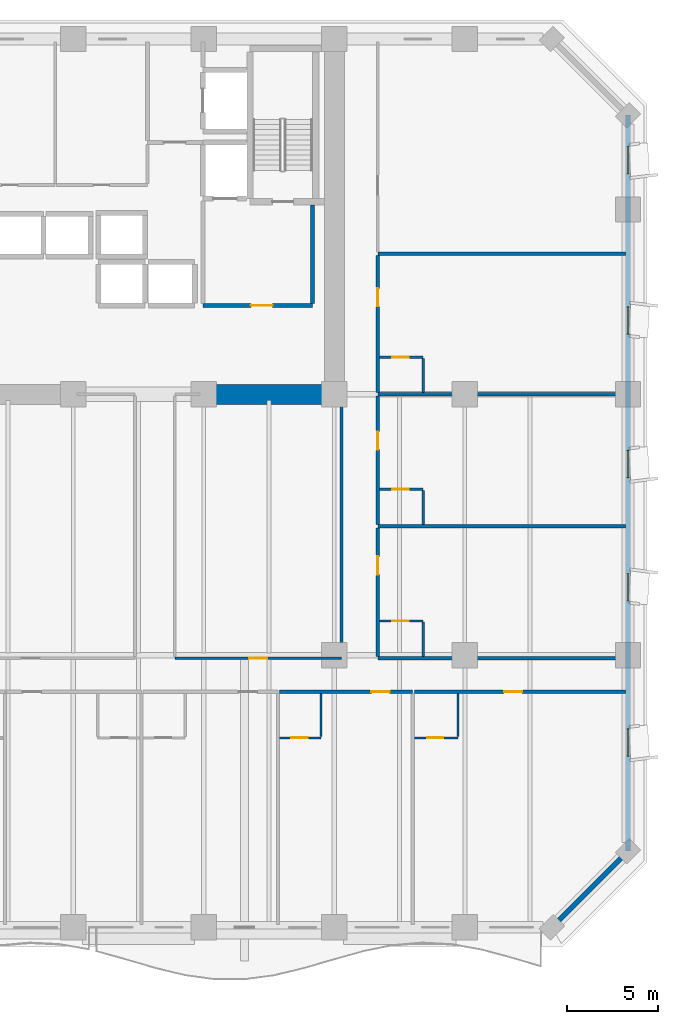
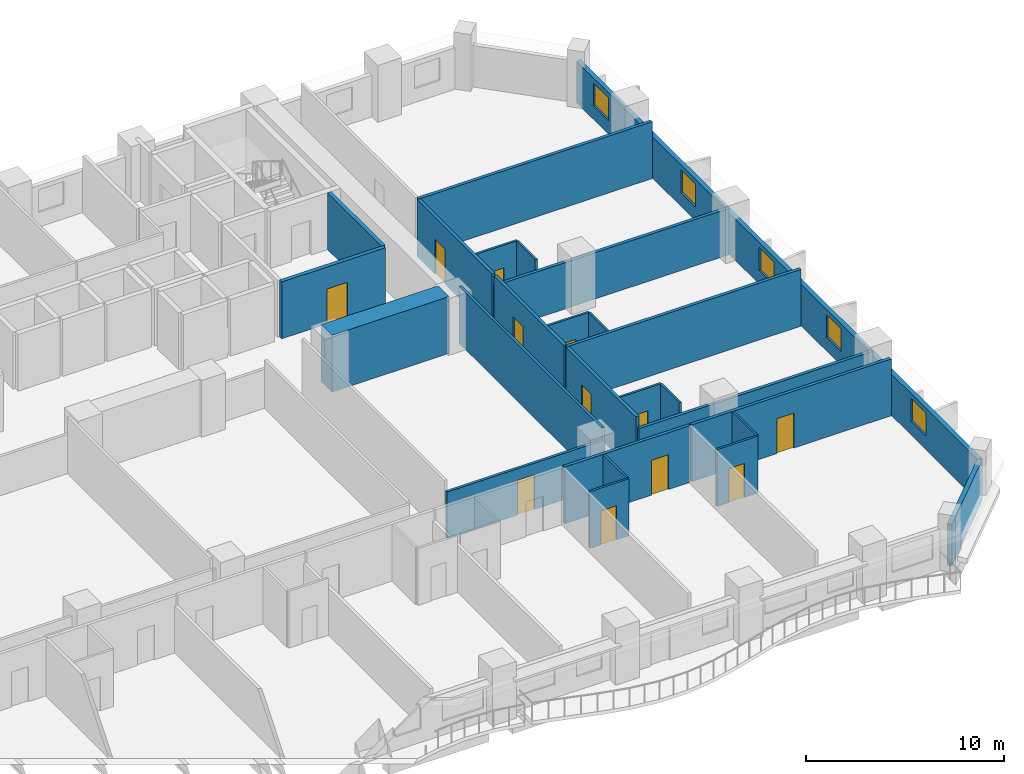
# One storey, part 10 of 15: 26 walls, 12 doors, 5 windows, 17 openings.
"""IFC4 building model written with IfcOpenShell, lengths in metres."""

from ifc_helpers import new_model, si_unit, direction, frame, frame_2d, origin, place, context, subcontext, project, spatial, rectangle, extrude, material, layer, layer_set, type_object, element, fill, save


model = new_model("IFC4")

# Units and contexts
model_context = context("Model", 3, precision=1e-05, world=origin(), true_north=direction((0.0, 1.0)))
body_context = subcontext(model_context, "Body", "Model", "MODEL_VIEW")
ifc_project = project(units=[si_unit("LENGTHUNIT", "METRE"), si_unit("AREAUNIT", "SQUARE_METRE"), si_unit("VOLUMEUNIT", "CUBIC_METRE"), si_unit("PLANEANGLEUNIT", "RADIAN"), si_unit("MASSUNIT", "GRAM", prefix="KILO")], contexts=[model_context])

# Site, building, storey
site_placement = place(None, origin())
site = spatial("IfcSite", under=ifc_project, at=site_placement, CompositionType="ELEMENT")
building_placement = place(site_placement, origin())
building = spatial("IfcBuilding", under=site, at=building_placement, Name="Kaelvorn Grand Hotel", CompositionType="ELEMENT")
storey_placement = place(building_placement, frame((0.0, 0.0, 68.89990234375)))
storey = spatial("IfcBuildingStorey", under=building, at=storey_placement, Name="L15", CompositionType="ELEMENT", Elevation=68.89990234375)

# Walls
ifc_material_1 = material(Name="Concrete C80/95", Category="concrete")
ifc_layer_1 = layer(ifc_material_1, 1.10009765625)
ifc_layer_set_1 = layer_set([ifc_layer_1], Name="Concrete C80/95")
wall_type_1 = type_object("IfcWallType", Name="WL-CORE-1100-C80", PredefinedType="SHEAR", material=ifc_layer_set_1)
wall_1_placement = place(storey_placement, frame((60.39990234375, 29.39990234375, 0.0), z_axis=(0.0, 0.0, 1.0), x_axis=(1.0, 0.0, 0.0)))
element("IfcWall", 1, at=wall_1_placement, inside=storey, type_object=wall_type_1, Name="L15 Rear-Core Coupled Shear Pier S4", PredefinedType="SHEAR", context=body_context, shape_type="SweptSolid", body=[
    extrude(rectangle(XDim=6.84521484375, YDim=1.10009765625, at=frame_2d((3.422607421875, 0.0))), origin(), (0.0, 0.0, 1.0), 3.510009765625),
])
ifc_material_2 = material(Name="Concrete C40/50", Category="concrete")
ifc_layer_2 = layer(ifc_material_2, 0.260009765625)
ifc_layer_set_2 = layer_set([ifc_layer_2], Name="Concrete C40/50")
wall_type_2 = type_object("IfcWallType", Name="WL-EXT-260-C40", PredefinedType="SOLIDWALL", material=ifc_layer_set_2)
wall_2_placement = place(storey_placement, frame((79.800048828125, 0.0, 0.0), z_axis=(0.0, 0.0, 1.0), x_axis=(0.707106781187, 0.707106781187, 0.0)))
element("IfcWall", 2, at=wall_2_placement, inside=storey, type_object=wall_type_2, Name="L15 Exterior Architectural Concrete Wall 02", PredefinedType="SOLIDWALL", context=body_context, shape_type="SweptSolid", body=[
    extrude(rectangle(XDim=5.939697265625, YDim=0.260009765625, at=frame_2d((2.9697265625, 0.0))), origin(), (0.0, 0.0, 1.0), 2.56005859375),
])

# Wall, openings, windows
wall_3_placement = place(storey_placement, frame((84.0, 4.199951171875, 0.0), z_axis=(0.0, 0.0, 1.0), x_axis=(0.0, 1.0, 0.0)))
wall_3 = element("IfcWall", 3, at=wall_3_placement, inside=storey, type_object=wall_type_2, Name="L15 Exterior Architectural Concrete Wall 03", PredefinedType="SOLIDWALL", context=body_context, shape_type="SweptSolid", body=[
    extrude(rectangle(XDim=40.60009765625, YDim=0.260009765625, at=frame_2d((20.300048828125, 0.0))), origin(), (0.0, 0.0, 1.0), 2.56005859375),
])
opening_1_placement = place(wall_3_placement, frame((5.25, 0.0, 0.85009765625)))
opening_1 = element("IfcOpeningElement", 4, at=opening_1_placement, cuts=wall_3, Name="Opening W10", PredefinedType="OPENING", context=body_context, shape_type="SweptSolid", body=[
    extrude(rectangle(XDim=1.5, YDim=1.39990234375, at=frame_2d((0.75, 0.699951171875))), frame((0.0, 0.14013671875, 0.0), z_axis=(0.0, -1.0, 0.0), x_axis=(1.0, 0.0, 0.0)), (0.0, 0.0, 1.0), 0.280029296875),
])
opening_2_placement = place(wall_3_placement, frame((13.81005859375, 0.0, 0.85009765625)))
opening_2 = element("IfcOpeningElement", 5, at=opening_2_placement, cuts=wall_3, Name="Opening W10", PredefinedType="OPENING", context=body_context, shape_type="SweptSolid", body=[
    extrude(rectangle(XDim=1.5, YDim=1.39990234375, at=frame_2d((0.75, 0.699951171875))), frame((0.0, 0.14013671875, 0.0), z_axis=(0.0, -1.0, 0.0), x_axis=(1.0, 0.0, 0.0)), (0.0, 0.0, 1.0), 0.280029296875),
])
opening_3_placement = place(wall_3_placement, frame((20.610107421875, 0.0, 0.85009765625)))
opening_3 = element("IfcOpeningElement", 6, at=opening_3_placement, cuts=wall_3, Name="Opening W10", PredefinedType="OPENING", context=body_context, shape_type="SweptSolid", body=[
    extrude(rectangle(XDim=1.5, YDim=1.39990234375, at=frame_2d((0.75, 0.699951171875))), frame((0.0, 0.14013671875, 0.0), z_axis=(0.0, -1.0, 0.0), x_axis=(1.0, 0.0, 0.0)), (0.0, 0.0, 1.0), 0.280029296875),
])
opening_4_placement = place(wall_3_placement, frame((28.52490234375, 0.0, 0.85009765625)))
opening_4 = element("IfcOpeningElement", 7, at=opening_4_placement, cuts=wall_3, Name="Opening W10", PredefinedType="OPENING", context=body_context, shape_type="SweptSolid", body=[
    extrude(rectangle(XDim=1.5, YDim=1.39990234375, at=frame_2d((0.75, 0.699951171875))), frame((0.0, 0.14013671875, 0.0), z_axis=(0.0, -1.0, 0.0), x_axis=(1.0, 0.0, 0.0)), (0.0, 0.0, 1.0), 0.280029296875),
])
opening_5_placement = place(wall_3_placement, frame((37.364990234375, 0.0, 0.85009765625)))
opening_5 = element("IfcOpeningElement", 8, at=opening_5_placement, cuts=wall_3, Name="Opening W10", PredefinedType="OPENING", context=body_context, shape_type="SweptSolid", body=[
    extrude(rectangle(XDim=1.5, YDim=1.39990234375, at=frame_2d((0.75, 0.699951171875))), frame((0.0, 0.14013671875, 0.0), z_axis=(0.0, -1.0, 0.0), x_axis=(1.0, 0.0, 0.0)), (0.0, 0.0, 1.0), 0.280029296875),
])
ifc_material_3 = material(Name="Laminated Low-E Glass", Category="glass")
window_type = type_object("IfcWindowType", Name="WIN-COR-1500x1400", PartitioningType="SINGLE_PANEL", PredefinedType="WINDOW", material=ifc_material_3)
window_1_placement = place(opening_1_placement, origin())
window_1 = element("IfcWindow", 9, at=window_1_placement, inside=storey, type_object=window_type, Name="L15 E Wing Tilted-Frame Ribbon Window E01", OverallHeight=1.39990234375, OverallWidth=1.5, PartitioningType="SINGLE_PANEL", PredefinedType="WINDOW", context=body_context, shape_type="SweptSolid", body=[
    extrude(rectangle(XDim=1.5, YDim=1.39990234375, at=frame_2d((0.75, 0.699951171875))), frame((0.0, 0.030029296875, 0.0), z_axis=(0.0, -1.0, 0.0), x_axis=(1.0, 0.0, 0.0)), (0.0, 0.0, 1.0), 0.06005859375),
])
fill(opening_1, window_1)
window_2_placement = place(opening_2_placement, origin())
window_2 = element("IfcWindow", 10, at=window_2_placement, inside=storey, type_object=window_type, Name="L15 E Wing Tilted-Frame Ribbon Window E02", OverallHeight=1.39990234375, OverallWidth=1.5, PartitioningType="SINGLE_PANEL", PredefinedType="WINDOW", context=body_context, shape_type="SweptSolid", body=[
    extrude(rectangle(XDim=1.5, YDim=1.39990234375, at=frame_2d((0.75, 0.699951171875))), frame((0.0, 0.030029296875, 0.0), z_axis=(0.0, -1.0, 0.0), x_axis=(1.0, 0.0, 0.0)), (0.0, 0.0, 1.0), 0.06005859375),
])
fill(opening_2, window_2)
window_3_placement = place(opening_3_placement, origin())
window_3 = element("IfcWindow", 11, at=window_3_placement, inside=storey, type_object=window_type, Name="L15 E Wing Tilted-Frame Ribbon Window E03", OverallHeight=1.39990234375, OverallWidth=1.5, PartitioningType="SINGLE_PANEL", PredefinedType="WINDOW", context=body_context, shape_type="SweptSolid", body=[
    extrude(rectangle(XDim=1.5, YDim=1.39990234375, at=frame_2d((0.75, 0.699951171875))), frame((0.0, 0.030029296875, 0.0), z_axis=(0.0, -1.0, 0.0), x_axis=(1.0, 0.0, 0.0)), (0.0, 0.0, 1.0), 0.06005859375),
])
fill(opening_3, window_3)
window_4_placement = place(opening_4_placement, origin())
window_4 = element("IfcWindow", 12, at=window_4_placement, inside=storey, type_object=window_type, Name="L15 E Wing Tilted-Frame Ribbon Window E04", OverallHeight=1.39990234375, OverallWidth=1.5, PartitioningType="SINGLE_PANEL", PredefinedType="WINDOW", context=body_context, shape_type="SweptSolid", body=[
    extrude(rectangle(XDim=1.5, YDim=1.39990234375, at=frame_2d((0.75, 0.699951171875))), frame((0.0, 0.030029296875, 0.0), z_axis=(0.0, -1.0, 0.0), x_axis=(1.0, 0.0, 0.0)), (0.0, 0.0, 1.0), 0.06005859375),
])
fill(opening_4, window_4)
window_5_placement = place(opening_5_placement, origin())
window_5 = element("IfcWindow", 13, at=window_5_placement, inside=storey, type_object=window_type, Name="L15 E Wing Tilted-Frame Ribbon Window E05", OverallHeight=1.39990234375, OverallWidth=1.5, PartitioningType="SINGLE_PANEL", PredefinedType="WINDOW", context=body_context, shape_type="SweptSolid", body=[
    extrude(rectangle(XDim=1.5, YDim=1.39990234375, at=frame_2d((0.75, 0.699951171875))), frame((0.0, 0.030029296875, 0.0), z_axis=(0.0, -1.0, 0.0), x_axis=(1.0, 0.0, 0.0)), (0.0, 0.0, 1.0), 0.06005859375),
])
fill(opening_5, window_5)

# Wall, opening, door
ifc_material_4 = material(Name="Moisture-Resistant Tile & Stud Board")
ifc_layer_3 = layer(ifc_material_4, 0.125)
ifc_layer_set_3 = layer_set([ifc_layer_3], Name="Moisture-Resistant Tile & Stud Board")
wall_type_3 = type_object("IfcWallType", Name="WL-PART-125-WET", PredefinedType="PARTITIONING", material=ifc_layer_set_3)
wall_4_placement = place(storey_placement, frame((64.78564453125, 10.449951171875, 0.0), z_axis=(0.0, 0.0, 1.0), x_axis=(1.0, 0.0, 0.0)))
wall_4 = element("IfcWall", 14, at=wall_4_placement, inside=storey, type_object=wall_type_3, Name="L15 En-suite Bathroom L15-09 S Partition", PredefinedType="PARTITIONING", context=body_context, shape_type="SweptSolid", body=[
    extrude(rectangle(XDim=2.284912109375, YDim=0.125, at=frame_2d((1.142578125, 0.0))), origin(), (0.0, 0.0, 1.0), 3.510009765625),
])
opening_6_placement = place(wall_4_placement, frame((0.64990234375, 0.0, 0.0)))
opening_6 = element("IfcOpeningElement", 15, at=opening_6_placement, cuts=wall_4, Name="Opening DI4", PredefinedType="OPENING", context=body_context, shape_type="SweptSolid", body=[
    extrude(rectangle(XDim=0.89990234375, YDim=2.10009765625, at=frame_2d((0.449951171875, 1.050048828125))), frame((0.0, 0.072509765625, 0.0), z_axis=(0.0, -1.0, 0.0), x_axis=(1.0, 0.0, 0.0)), (0.0, 0.0, 1.0), 0.14501953125),
])
ifc_material_5 = material(Name="Timber Veneer Leaf", Category="wood")
door_type_1 = type_object("IfcDoorType", Name="DR-INT-BATH-900x2100", OperationType="NOTDEFINED", PredefinedType="DOOR", material=ifc_material_5)
door_1_placement = place(opening_6_placement, origin())
door_1 = element("IfcDoor", 16, at=door_1_placement, inside=storey, type_object=door_type_1, Name="L15 En-suite Bathroom L15-09 Door", OperationType="SINGLE_SWING_LEFT", OverallHeight=2.10009765625, OverallWidth=0.89990234375, PredefinedType="DOOR", context=body_context, shape_type="SweptSolid", body=[
    extrude(rectangle(XDim=0.89990234375, YDim=2.10009765625, at=frame_2d((0.449951171875, 1.050048828125))), frame((0.0, 0.02490234375, 0.0), z_axis=(0.0, -1.0, 0.0), x_axis=(1.0, 0.0, 0.0)), (0.0, 0.0, 1.0), 0.050048828125),
])
fill(opening_6, door_1)

# Wall
wall_5_placement = place(storey_placement, frame((67.070556640625, 10.517578125, 0.0), z_axis=(0.0, 0.0, 1.0), x_axis=(0.0, 1.0, 0.0)))
element("IfcWall", 17, at=wall_5_placement, inside=storey, type_object=wall_type_3, Name="L15 En-suite Bathroom L15-09 E Partition", PredefinedType="PARTITIONING", context=body_context, shape_type="SweptSolid", body=[
    extrude(rectangle(XDim=2.387451171875, YDim=0.125, at=frame_2d((1.19384765625, 0.0))), origin(), (0.0, 0.0, 1.0), 3.510009765625),
])

# Wall, opening, door
wall_6_placement = place(storey_placement, frame((72.21533203125, 10.449951171875, 0.0), z_axis=(0.0, 0.0, 1.0), x_axis=(1.0, 0.0, 0.0)))
wall_6 = element("IfcWall", 18, at=wall_6_placement, inside=storey, type_object=wall_type_3, Name="L15 En-suite Bathroom L15-10 S Partition", PredefinedType="PARTITIONING", context=body_context, shape_type="SweptSolid", body=[
    extrude(rectangle(XDim=2.405029296875, YDim=0.125, at=frame_2d((1.20263671875, 0.0))), origin(), (0.0, 0.0, 1.0), 3.510009765625),
])
opening_7_placement = place(wall_6_placement, frame((0.705078125, 0.0, 0.0)))
opening_7 = element("IfcOpeningElement", 19, at=opening_7_placement, cuts=wall_6, Name="Opening DI4", PredefinedType="OPENING", context=body_context, shape_type="SweptSolid", body=[
    extrude(rectangle(XDim=0.89990234375, YDim=2.10009765625, at=frame_2d((0.449951171875, 1.050048828125))), frame((0.0, 0.072509765625, 0.0), z_axis=(0.0, -1.0, 0.0), x_axis=(1.0, 0.0, 0.0)), (0.0, 0.0, 1.0), 0.14501953125),
])
door_2_placement = place(opening_7_placement, origin())
door_2 = element("IfcDoor", 20, at=door_2_placement, inside=storey, type_object=door_type_1, Name="L15 En-suite Bathroom L15-10 Door", OperationType="SINGLE_SWING_LEFT", OverallHeight=2.10009765625, OverallWidth=0.89990234375, PredefinedType="DOOR", context=body_context, shape_type="SweptSolid", body=[
    extrude(rectangle(XDim=0.89990234375, YDim=2.10009765625, at=frame_2d((0.449951171875, 1.050048828125))), frame((0.0, 0.02490234375, 0.0), z_axis=(0.0, -1.0, 0.0), x_axis=(1.0, 0.0, 0.0)), (0.0, 0.0, 1.0), 0.050048828125),
])
fill(opening_7, door_2)

# Wall
wall_7_placement = place(storey_placement, frame((74.620361328125, 10.517578125, 0.0), z_axis=(0.0, 0.0, 1.0), x_axis=(0.0, 1.0, 0.0)))
element("IfcWall", 21, at=wall_7_placement, inside=storey, type_object=wall_type_3, Name="L15 En-suite Bathroom L15-10 E Partition", PredefinedType="PARTITIONING", context=body_context, shape_type="SweptSolid", body=[
    extrude(rectangle(XDim=2.387451171875, YDim=0.125, at=frame_2d((1.19384765625, 0.0))), origin(), (0.0, 0.0, 1.0), 3.510009765625),
])

# Wall, opening, door
wall_8_placement = place(storey_placement, frame((70.294921875, 16.89990234375, 0.0), z_axis=(0.0, 0.0, 1.0), x_axis=(1.0, 0.0, 0.0)))
wall_8 = element("IfcWall", 22, at=wall_8_placement, inside=storey, type_object=wall_type_3, Name="L15 En-suite Bathroom L15-13 N Partition", PredefinedType="PARTITIONING", context=body_context, shape_type="SweptSolid", body=[
    extrude(rectangle(XDim=2.405029296875, YDim=0.125, at=frame_2d((1.20263671875, 0.0))), origin(), (0.0, 0.0, 1.0), 3.510009765625),
])
opening_8_placement = place(wall_8_placement, frame((0.705078125, 0.0, 0.0)))
opening_8 = element("IfcOpeningElement", 23, at=opening_8_placement, cuts=wall_8, Name="Opening DI4", PredefinedType="OPENING", context=body_context, shape_type="SweptSolid", body=[
    extrude(rectangle(XDim=0.89990234375, YDim=2.10009765625, at=frame_2d((0.449951171875, 1.050048828125))), frame((0.0, 0.072509765625, 0.0), z_axis=(0.0, -1.0, 0.0), x_axis=(1.0, 0.0, 0.0)), (0.0, 0.0, 1.0), 0.14501953125),
])
door_3_placement = place(opening_8_placement, origin())
door_3 = element("IfcDoor", 24, at=door_3_placement, inside=storey, type_object=door_type_1, Name="L15 En-suite Bathroom L15-13 Door", OperationType="SINGLE_SWING_RIGHT", OverallHeight=2.10009765625, OverallWidth=0.89990234375, PredefinedType="DOOR", context=body_context, shape_type="SweptSolid", body=[
    extrude(rectangle(XDim=0.89990234375, YDim=2.10009765625, at=frame_2d((0.449951171875, 1.050048828125))), frame((0.0, 0.02490234375, 0.0), z_axis=(0.0, -1.0, 0.0), x_axis=(1.0, 0.0, 0.0)), (0.0, 0.0, 1.0), 0.050048828125),
])
fill(opening_8, door_3)

# Wall
wall_9_placement = place(storey_placement, frame((72.699951171875, 14.945068359375, 0.0), z_axis=(0.0, 0.0, 1.0), x_axis=(0.0, 1.0, 0.0)))
element("IfcWall", 25, at=wall_9_placement, inside=storey, type_object=wall_type_3, Name="L15 En-suite Bathroom L15-13 E Partition", PredefinedType="PARTITIONING", context=body_context, shape_type="SweptSolid", body=[
    extrude(rectangle(XDim=1.887451171875, YDim=0.125, at=frame_2d((0.94384765625, 0.0))), origin(), (0.0, 0.0, 1.0), 3.510009765625),
])

# Wall, opening, door
wall_10_placement = place(storey_placement, frame((70.294921875, 24.169921875, 0.0), z_axis=(0.0, 0.0, 1.0), x_axis=(1.0, 0.0, 0.0)))
wall_10 = element("IfcWall", 26, at=wall_10_placement, inside=storey, type_object=wall_type_3, Name="L15 En-suite Bathroom L15-14 N Partition", PredefinedType="PARTITIONING", context=body_context, shape_type="SweptSolid", body=[
    extrude(rectangle(XDim=2.405029296875, YDim=0.125, at=frame_2d((1.20263671875, 0.0))), origin(), (0.0, 0.0, 1.0), 3.510009765625),
])
opening_9_placement = place(wall_10_placement, frame((0.705078125, 0.0, 0.0)))
opening_9 = element("IfcOpeningElement", 27, at=opening_9_placement, cuts=wall_10, Name="Opening DI4", PredefinedType="OPENING", context=body_context, shape_type="SweptSolid", body=[
    extrude(rectangle(XDim=0.89990234375, YDim=2.10009765625, at=frame_2d((0.449951171875, 1.050048828125))), frame((0.0, 0.072509765625, 0.0), z_axis=(0.0, -1.0, 0.0), x_axis=(1.0, 0.0, 0.0)), (0.0, 0.0, 1.0), 0.14501953125),
])
door_4_placement = place(opening_9_placement, origin())
door_4 = element("IfcDoor", 28, at=door_4_placement, inside=storey, type_object=door_type_1, Name="L15 En-suite Bathroom L15-14 Door", OperationType="SINGLE_SWING_RIGHT", OverallHeight=2.10009765625, OverallWidth=0.89990234375, PredefinedType="DOOR", context=body_context, shape_type="SweptSolid", body=[
    extrude(rectangle(XDim=0.89990234375, YDim=2.10009765625, at=frame_2d((0.449951171875, 1.050048828125))), frame((0.0, 0.02490234375, 0.0), z_axis=(0.0, -1.0, 0.0), x_axis=(1.0, 0.0, 0.0)), (0.0, 0.0, 1.0), 0.050048828125),
])
fill(opening_9, door_4)

# Wall
wall_11_placement = place(storey_placement, frame((72.699951171875, 22.215087890625, 0.0), z_axis=(0.0, 0.0, 1.0), x_axis=(0.0, 1.0, 0.0)))
element("IfcWall", 29, at=wall_11_placement, inside=storey, type_object=wall_type_3, Name="L15 En-suite Bathroom L15-14 E Partition", PredefinedType="PARTITIONING", context=body_context, shape_type="SweptSolid", body=[
    extrude(rectangle(XDim=1.887451171875, YDim=0.125, at=frame_2d((0.94384765625, 0.0))), origin(), (0.0, 0.0, 1.0), 3.510009765625),
])

# Wall, opening, door
wall_12_placement = place(storey_placement, frame((70.294921875, 31.449951171875, 0.0), z_axis=(0.0, 0.0, 1.0), x_axis=(1.0, 0.0, 0.0)))
wall_12 = element("IfcWall", 30, at=wall_12_placement, inside=storey, type_object=wall_type_3, Name="L15 En-suite Bathroom L15-16 N Partition", PredefinedType="PARTITIONING", context=body_context, shape_type="SweptSolid", body=[
    extrude(rectangle(XDim=2.405029296875, YDim=0.125, at=frame_2d((1.20263671875, 0.0))), origin(), (0.0, 0.0, 1.0), 3.510009765625),
])
opening_10_placement = place(wall_12_placement, frame((0.705078125, 0.0, 0.0)))
opening_10 = element("IfcOpeningElement", 31, at=opening_10_placement, cuts=wall_12, Name="Opening DI4", PredefinedType="OPENING", context=body_context, shape_type="SweptSolid", body=[
    extrude(rectangle(XDim=0.89990234375, YDim=2.10009765625, at=frame_2d((0.449951171875, 1.050048828125))), frame((0.0, 0.072509765625, 0.0), z_axis=(0.0, -1.0, 0.0), x_axis=(1.0, 0.0, 0.0)), (0.0, 0.0, 1.0), 0.14501953125),
])
door_5_placement = place(opening_10_placement, origin())
door_5 = element("IfcDoor", 32, at=door_5_placement, inside=storey, type_object=door_type_1, Name="L15 En-suite Bathroom L15-16 Door", OperationType="SINGLE_SWING_LEFT", OverallHeight=2.10009765625, OverallWidth=0.89990234375, PredefinedType="DOOR", context=body_context, shape_type="SweptSolid", body=[
    extrude(rectangle(XDim=0.89990234375, YDim=2.10009765625, at=frame_2d((0.449951171875, 1.050048828125))), frame((0.0, 0.02490234375, 0.0), z_axis=(0.0, -1.0, 0.0), x_axis=(1.0, 0.0, 0.0)), (0.0, 0.0, 1.0), 0.050048828125),
])
fill(opening_10, door_5)

# Wall
wall_13_placement = place(storey_placement, frame((72.699951171875, 29.4951171875, 0.0), z_axis=(0.0, 0.0, 1.0), x_axis=(0.0, 1.0, 0.0)))
element("IfcWall", 33, at=wall_13_placement, inside=storey, type_object=wall_type_3, Name="L15 En-suite Bathroom L15-16 E Partition", PredefinedType="PARTITIONING", context=body_context, shape_type="SweptSolid", body=[
    extrude(rectangle(XDim=1.887451171875, YDim=0.125, at=frame_2d((0.94384765625, 0.0))), origin(), (0.0, 0.0, 1.0), 3.510009765625),
])

# Wall, opening, door
ifc_material_6 = material(Name="Acoustic Gypsum & Stud Partition")
ifc_layer_4 = layer(ifc_material_6, 0.14990234375)
ifc_layer_set_4 = layer_set([ifc_layer_4], Name="Acoustic Gypsum & Stud Partition")
wall_type_4 = type_object("IfcWallType", Name="WL-PART-150-EI60", PredefinedType="PARTITIONING", material=ifc_layer_set_4)
wall_14_placement = place(storey_placement, frame((59.0, 14.85009765625, 0.0), z_axis=(0.0, 0.0, 1.0), x_axis=(1.0, 0.0, 0.0)))
wall_14 = element("IfcWall", 34, at=wall_14_placement, inside=storey, type_object=wall_type_4, Name="L15 Executive Meeting Room S Partition", PredefinedType="PARTITIONING", context=body_context, shape_type="SweptSolid", body=[
    extrude(rectangle(XDim=9.199951171875, YDim=0.14990234375, at=frame_2d((4.60009765625, 0.0))), origin(), (0.0, 0.0, 1.0), 2.860107421875),
])
opening_11_placement = place(wall_14_placement, frame((4.10009765625, 0.0, 0.0)))
opening_11 = element("IfcOpeningElement", 35, at=opening_11_placement, cuts=wall_14, Name="Opening DI3", PredefinedType="OPENING", context=body_context, shape_type="SweptSolid", body=[
    extrude(rectangle(XDim=1.0, YDim=2.14990234375, at=frame_2d((0.5, 1.074951171875))), frame((0.0, 0.0849609375, 0.0), z_axis=(0.0, -1.0, 0.0), x_axis=(1.0, 0.0, 0.0)), (0.0, 0.0, 1.0), 0.169921875),
])
ifc_material_7 = material(Name="Timber Veneer Fire Leaf", Category="wood")
door_type_2 = type_object("IfcDoorType", Name="DR-INT-GUEST-1000x2150", OperationType="NOTDEFINED", PredefinedType="DOOR", material=ifc_material_7)
door_6_placement = place(opening_11_placement, origin())
door_6 = element("IfcDoor", 36, at=door_6_placement, inside=storey, type_object=door_type_2, Name="L15 Executive Meeting Room Door", OperationType="SINGLE_SWING_RIGHT", OverallHeight=2.14990234375, OverallWidth=1.0, PredefinedType="DOOR", context=body_context, shape_type="SweptSolid", body=[
    extrude(rectangle(XDim=1.0, YDim=2.14990234375, at=frame_2d((0.5, 1.074951171875))), frame((0.0, 0.02490234375, 0.0), z_axis=(0.0, -1.0, 0.0), x_axis=(1.0, 0.0, 0.0)), (0.0, 0.0, 1.0), 0.050048828125),
])
fill(opening_11, door_6)

# Wall
wall_15_placement = place(storey_placement, frame((68.199951171875, 14.929931640625, 0.0), z_axis=(0.0, 0.0, 1.0), x_axis=(0.0, 1.0, 0.0)))
element("IfcWall", 37, at=wall_15_placement, inside=storey, type_object=wall_type_4, Name="L15 Executive Meeting Room E Partition", PredefinedType="PARTITIONING", context=body_context, shape_type="SweptSolid", body=[
    extrude(rectangle(XDim=14.4599609375, YDim=0.14990234375, at=frame_2d((7.22998046875, 0.0))), origin(), (0.0, 0.0, 1.0), 3.510009765625),
])

# Wall, opening, door
ifc_layer_5 = layer(ifc_material_6, 0.179931640625)
ifc_layer_set_5 = layer_set([ifc_layer_5], Name="Acoustic Gypsum & Stud Partition")
wall_type_5 = type_object("IfcWallType", Name="WL-PART-180-EI60", PredefinedType="PARTITIONING", material=ifc_layer_set_5)
wall_16_placement = place(storey_placement, frame((64.78564453125, 13.0, 0.0), z_axis=(0.0, 0.0, 1.0), x_axis=(1.0, 0.0, 0.0)))
wall_16 = element("IfcWall", 38, at=wall_16_placement, inside=storey, type_object=wall_type_5, Name="L15 Deluxe Panoramic Suite L15-09 N Partition", PredefinedType="PARTITIONING", context=body_context, shape_type="SweptSolid", body=[
    extrude(rectangle(XDim=7.334716796875, YDim=0.179931640625, at=frame_2d((3.66748046875, 0.0))), origin(), (0.0, 0.0, 1.0), 3.510009765625),
])
opening_12_placement = place(wall_16_placement, frame((5.064453125, 0.0, 0.0)))
opening_12 = element("IfcOpeningElement", 39, at=opening_12_placement, cuts=wall_16, Name="Opening DI3", PredefinedType="OPENING", context=body_context, shape_type="SweptSolid", body=[
    extrude(rectangle(XDim=1.0, YDim=2.14990234375, at=frame_2d((0.5, 1.074951171875))), frame((0.0, 0.10009765625, 0.0), z_axis=(0.0, -1.0, 0.0), x_axis=(1.0, 0.0, 0.0)), (0.0, 0.0, 1.0), 0.199951171875),
])
door_7_placement = place(opening_12_placement, origin())
door_7 = element("IfcDoor", 40, at=door_7_placement, inside=storey, type_object=door_type_2, Name="L15 Deluxe Panoramic Suite L15-09 Door", OperationType="SINGLE_SWING_RIGHT", OverallHeight=2.14990234375, OverallWidth=1.0, PredefinedType="DOOR", context=body_context, shape_type="SweptSolid", body=[
    extrude(rectangle(XDim=1.0, YDim=2.14990234375, at=frame_2d((0.5, 1.074951171875))), frame((0.0, 0.02490234375, 0.0), z_axis=(0.0, -1.0, 0.0), x_axis=(1.0, 0.0, 0.0)), (0.0, 0.0, 1.0), 0.050048828125),
])
fill(opening_12, door_7)

wall_17_placement = place(storey_placement, frame((72.21533203125, 13.0, 0.0), z_axis=(0.0, 0.0, 1.0), x_axis=(1.0, 0.0, 0.0)))
wall_17 = element("IfcWall", 41, at=wall_17_placement, inside=storey, type_object=wall_type_5, Name="L15 Deluxe Panoramic Suite L15-10 N Partition", PredefinedType="PARTITIONING", context=body_context, shape_type="SweptSolid", body=[
    extrude(rectangle(XDim=11.634765625, YDim=0.179931640625, at=frame_2d((5.8173828125, 0.0))), origin(), (0.0, 0.0, 1.0), 3.510009765625),
])
opening_13_placement = place(wall_17_placement, frame((4.94970703125, 0.0, 0.0)))
opening_13 = element("IfcOpeningElement", 42, at=opening_13_placement, cuts=wall_17, Name="Opening DI3", PredefinedType="OPENING", context=body_context, shape_type="SweptSolid", body=[
    extrude(rectangle(XDim=1.0, YDim=2.14990234375, at=frame_2d((0.5, 1.074951171875))), frame((0.0, 0.10009765625, 0.0), z_axis=(0.0, -1.0, 0.0), x_axis=(1.0, 0.0, 0.0)), (0.0, 0.0, 1.0), 0.199951171875),
])
door_8_placement = place(opening_13_placement, origin())
door_8 = element("IfcDoor", 43, at=door_8_placement, inside=storey, type_object=door_type_2, Name="L15 Deluxe Panoramic Suite L15-10 Door", OperationType="SINGLE_SWING_RIGHT", OverallHeight=2.14990234375, OverallWidth=1.0, PredefinedType="DOOR", context=body_context, shape_type="SweptSolid", body=[
    extrude(rectangle(XDim=1.0, YDim=2.14990234375, at=frame_2d((0.5, 1.074951171875))), frame((0.0, 0.02490234375, 0.0), z_axis=(0.0, -1.0, 0.0), x_axis=(1.0, 0.0, 0.0)), (0.0, 0.0, 1.0), 0.050048828125),
])
fill(opening_13, door_8)

# Walls
wall_18_placement = place(storey_placement, frame((70.199951171875, 14.85009765625, 0.0), z_axis=(0.0, 0.0, 1.0), x_axis=(1.0, 0.0, 0.0)))
element("IfcWall", 44, at=wall_18_placement, inside=storey, type_object=wall_type_5, Name="L15 East Wing Panoramic Suite L15-13 S Partition", PredefinedType="PARTITIONING", context=body_context, shape_type="SweptSolid", body=[
    extrude(rectangle(XDim=13.650146484375, YDim=0.179931640625, at=frame_2d((6.8251953125, 0.0))), origin(), (0.0, 0.0, 1.0), 2.860107421875),
])
wall_19_placement = place(storey_placement, frame((70.199951171875, 22.1201171875, 0.0), z_axis=(0.0, 0.0, 1.0), x_axis=(1.0, 0.0, 0.0)))
element("IfcWall", 45, at=wall_19_placement, inside=storey, type_object=wall_type_5, Name="L15 East Wing Panoramic Suite L15-13 N Partition", PredefinedType="PARTITIONING", context=body_context, shape_type="SweptSolid", body=[
    extrude(rectangle(XDim=13.650146484375, YDim=0.179931640625, at=frame_2d((6.8251953125, 0.0))), origin(), (0.0, 0.0, 1.0), 3.510009765625),
])

# Wall, opening, door
wall_20_placement = place(storey_placement, frame((70.199951171875, 14.945068359375, 0.0), z_axis=(0.0, 0.0, 1.0), x_axis=(0.0, 1.0, 0.0)))
wall_20 = element("IfcWall", 46, at=wall_20_placement, inside=storey, type_object=wall_type_5, Name="L15 East Wing Panoramic Suite L15-13 W Partition", PredefinedType="PARTITIONING", context=body_context, shape_type="SweptSolid", body=[
    extrude(rectangle(XDim=7.079833984375, YDim=0.179931640625, at=frame_2d((3.5400390625, 0.0))), origin(), (0.0, 0.0, 1.0), 3.510009765625),
])
opening_14_placement = place(wall_20_placement, frame((4.514892578125, 0.0, 0.0)))
opening_14 = element("IfcOpeningElement", 47, at=opening_14_placement, cuts=wall_20, Name="Opening DI3", PredefinedType="OPENING", context=body_context, shape_type="SweptSolid", body=[
    extrude(rectangle(XDim=1.0, YDim=2.14990234375, at=frame_2d((0.5, 1.074951171875))), frame((0.0, 0.10009765625, 0.0), z_axis=(0.0, -1.0, 0.0), x_axis=(1.0, 0.0, 0.0)), (0.0, 0.0, 1.0), 0.199951171875),
])
door_9_placement = place(opening_14_placement, origin())
door_9 = element("IfcDoor", 48, at=door_9_placement, inside=storey, type_object=door_type_2, Name="L15 East Wing Panoramic Suite L15-13 Door", OperationType="SINGLE_SWING_LEFT", OverallHeight=2.14990234375, OverallWidth=1.0, PredefinedType="DOOR", context=body_context, shape_type="SweptSolid", body=[
    extrude(rectangle(XDim=1.0, YDim=2.14990234375, at=frame_2d((0.5, 1.074951171875))), frame((0.0, 0.02490234375, 0.0), z_axis=(0.0, -1.0, 0.0), x_axis=(1.0, 0.0, 0.0)), (0.0, 0.0, 1.0), 0.050048828125),
])
fill(opening_14, door_9)

# Wall
wall_21_placement = place(storey_placement, frame((70.199951171875, 29.39990234375, 0.0), z_axis=(0.0, 0.0, 1.0), x_axis=(1.0, 0.0, 0.0)))
element("IfcWall", 49, at=wall_21_placement, inside=storey, type_object=wall_type_5, Name="L15 East Mid-Wing Suite L15-14 N Partition", PredefinedType="PARTITIONING", context=body_context, shape_type="SweptSolid", body=[
    extrude(rectangle(XDim=13.650146484375, YDim=0.179931640625, at=frame_2d((6.8251953125, 0.0))), origin(), (0.0, 0.0, 1.0), 2.860107421875),
])

# Wall, opening, door
wall_22_placement = place(storey_placement, frame((70.199951171875, 22.215087890625, 0.0), z_axis=(0.0, 0.0, 1.0), x_axis=(0.0, 1.0, 0.0)))
wall_22 = element("IfcWall", 50, at=wall_22_placement, inside=storey, type_object=wall_type_5, Name="L15 East Mid-Wing Suite L15-14 W Partition", PredefinedType="PARTITIONING", context=body_context, shape_type="SweptSolid", body=[
    extrude(rectangle(XDim=7.08984375, YDim=0.179931640625, at=frame_2d((3.544921875, 0.0))), origin(), (0.0, 0.0, 1.0), 3.510009765625),
])
opening_15_placement = place(wall_22_placement, frame((4.1298828125, 0.0, 0.0)))
opening_15 = element("IfcOpeningElement", 51, at=opening_15_placement, cuts=wall_22, Name="Opening DI3", PredefinedType="OPENING", context=body_context, shape_type="SweptSolid", body=[
    extrude(rectangle(XDim=1.0, YDim=2.14990234375, at=frame_2d((0.5, 1.074951171875))), frame((0.0, 0.10009765625, 0.0), z_axis=(0.0, -1.0, 0.0), x_axis=(1.0, 0.0, 0.0)), (0.0, 0.0, 1.0), 0.199951171875),
])
door_10_placement = place(opening_15_placement, origin())
door_10 = element("IfcDoor", 52, at=door_10_placement, inside=storey, type_object=door_type_2, Name="L15 East Mid-Wing Suite L15-14 Door", OperationType="SINGLE_SWING_LEFT", OverallHeight=2.14990234375, OverallWidth=1.0, PredefinedType="DOOR", context=body_context, shape_type="SweptSolid", body=[
    extrude(rectangle(XDim=1.0, YDim=2.14990234375, at=frame_2d((0.5, 1.074951171875))), frame((0.0, 0.02490234375, 0.0), z_axis=(0.0, -1.0, 0.0), x_axis=(1.0, 0.0, 0.0)), (0.0, 0.0, 1.0), 0.050048828125),
])
fill(opening_15, door_10)

# Wall
wall_23_placement = place(storey_placement, frame((70.199951171875, 37.14990234375, 0.0), z_axis=(0.0, 0.0, 1.0), x_axis=(1.0, 0.0, 0.0)))
element("IfcWall", 53, at=wall_23_placement, inside=storey, type_object=wall_type_5, Name="L15 North-East Wing Suite L15-16 N Partition", PredefinedType="PARTITIONING", context=body_context, shape_type="SweptSolid", body=[
    extrude(rectangle(XDim=13.650146484375, YDim=0.179931640625, at=frame_2d((6.8251953125, 0.0))), origin(), (0.0, 0.0, 1.0), 3.510009765625),
])

# Wall, opening, door
wall_24_placement = place(storey_placement, frame((70.199951171875, 29.4951171875, 0.0), z_axis=(0.0, 0.0, 1.0), x_axis=(0.0, 1.0, 0.0)))
wall_24 = element("IfcWall", 54, at=wall_24_placement, inside=storey, type_object=wall_type_5, Name="L15 North-East Wing Suite L15-16 W Partition", PredefinedType="PARTITIONING", context=body_context, shape_type="SweptSolid", body=[
    extrude(rectangle(XDim=7.559814453125, YDim=0.179931640625, at=frame_2d((3.77978515625, 0.0))), origin(), (0.0, 0.0, 1.0), 3.510009765625),
])
opening_16_placement = place(wall_24_placement, frame((4.7548828125, 0.0, 0.0)))
opening_16 = element("IfcOpeningElement", 55, at=opening_16_placement, cuts=wall_24, Name="Opening DI3", PredefinedType="OPENING", context=body_context, shape_type="SweptSolid", body=[
    extrude(rectangle(XDim=1.0, YDim=2.14990234375, at=frame_2d((0.5, 1.074951171875))), frame((0.0, 0.10009765625, 0.0), z_axis=(0.0, -1.0, 0.0), x_axis=(1.0, 0.0, 0.0)), (0.0, 0.0, 1.0), 0.199951171875),
])
door_11_placement = place(opening_16_placement, origin())
door_11 = element("IfcDoor", 56, at=door_11_placement, inside=storey, type_object=door_type_2, Name="L15 North-East Wing Suite L15-16 Door", OperationType="SINGLE_SWING_RIGHT", OverallHeight=2.14990234375, OverallWidth=1.0, PredefinedType="DOOR", context=body_context, shape_type="SweptSolid", body=[
    extrude(rectangle(XDim=1.0, YDim=2.14990234375, at=frame_2d((0.5, 1.074951171875))), frame((0.0, 0.02490234375, 0.0), z_axis=(0.0, -1.0, 0.0), x_axis=(1.0, 0.0, 0.0)), (0.0, 0.0, 1.0), 0.050048828125),
])
fill(opening_16, door_11)

ifc_layer_6 = layer(ifc_material_2, 0.219970703125)
ifc_layer_set_6 = layer_set([ifc_layer_6], Name="Concrete C40/50")
wall_type_6 = type_object("IfcWallType", Name="WL-PART-220-EI120", PredefinedType="PARTITIONING", material=ifc_layer_set_6)
wall_25_placement = place(storey_placement, frame((60.550048828125, 34.300048828125, 0.0), z_axis=(0.0, 0.0, 1.0), x_axis=(1.0, 0.0, 0.0)))
wall_25 = element("IfcWall", 57, at=wall_25_placement, inside=storey, type_object=wall_type_6, Name="L15 Firefighting Lift Lobby 2 S Partition", PredefinedType="PARTITIONING", context=body_context, shape_type="SweptSolid", body=[
    extrude(rectangle(XDim=6.050048828125, YDim=0.219970703125, at=frame_2d((3.02490234375, 0.0))), origin(), (0.0, 0.0, 1.0), 3.510009765625),
])
opening_17_placement = place(wall_25_placement, frame((2.64990234375, 0.0, 0.0)))
opening_17 = element("IfcOpeningElement", 58, at=opening_17_placement, cuts=wall_25, Name="Opening DI2", PredefinedType="OPENING", context=body_context, shape_type="SweptSolid", body=[
    extrude(rectangle(XDim=1.199951171875, YDim=2.14990234375, at=frame_2d((0.60009765625, 1.074951171875))), frame((0.0, 0.1201171875, 0.0), z_axis=(0.0, -1.0, 0.0), x_axis=(1.0, 0.0, 0.0)), (0.0, 0.0, 1.0), 0.239990234375),
])
door_type_3 = type_object("IfcDoorType", Name="DR-INT-FFLOB-1200x2150", OperationType="NOTDEFINED", PredefinedType="DOOR", material=ifc_material_7)
door_12_placement = place(opening_17_placement, origin())
door_12 = element("IfcDoor", 59, at=door_12_placement, inside=storey, type_object=door_type_3, Name="L15 Firefighting Lift Lobby 2 Door", OperationType="SINGLE_SWING_RIGHT", OverallHeight=2.14990234375, OverallWidth=1.199951171875, PredefinedType="DOOR", context=body_context, shape_type="SweptSolid", body=[
    extrude(rectangle(XDim=1.199951171875, YDim=2.14990234375, at=frame_2d((0.60009765625, 1.074951171875))), frame((0.0, 0.02490234375, 0.0), z_axis=(0.0, -1.0, 0.0), x_axis=(1.0, 0.0, 0.0)), (0.0, 0.0, 1.0), 0.050048828125),
])
fill(opening_17, door_12)

# Wall
wall_26_placement = place(storey_placement, frame((66.60009765625, 34.4150390625, 0.0), z_axis=(0.0, 0.0, 1.0), x_axis=(0.0, 1.0, 0.0)))
element("IfcWall", 60, at=wall_26_placement, inside=storey, type_object=wall_type_6, Name="L15 Firefighting Lift Lobby 2 E Partition", PredefinedType="PARTITIONING", context=body_context, shape_type="SweptSolid", body=[
    extrude(rectangle(XDim=5.429931640625, YDim=0.219970703125, at=frame_2d((2.71484375, 0.0))), origin(), (0.0, 0.0, 1.0), 3.510009765625),
])

save(model, "model.ifc")
